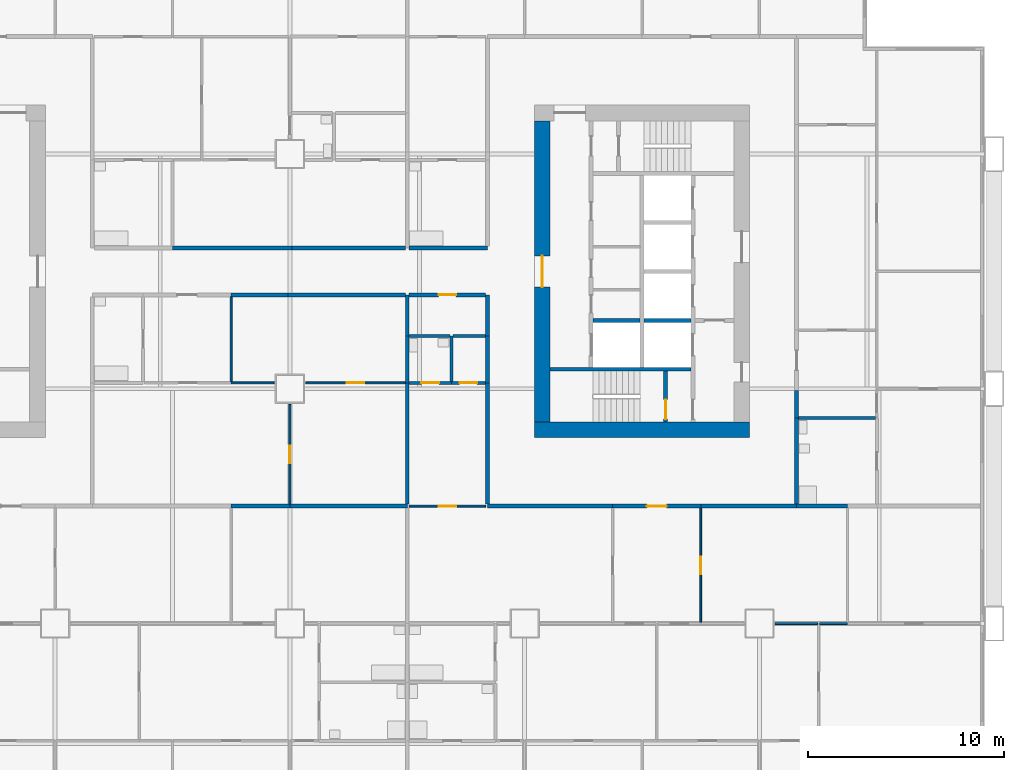
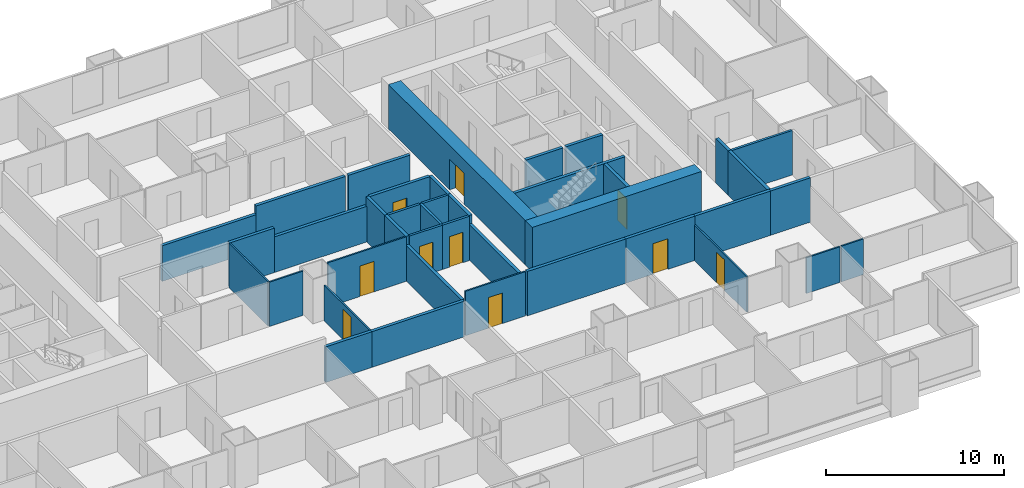
# One storey, part 6 of 13: 40 walls, 10 doors, 10 openings.
"""IFC4 building model written with IfcOpenShell, lengths in metres."""

from ifc_helpers import new_model, si_unit, direction, frame, frame_2d, origin, place, context, subcontext, project, spatial, rectangle, extrude, material, layer, layer_set, type_object, element, fill, save


model = new_model("IFC4")

# Units and contexts
model_context = context("Model", 3, precision=1e-05, world=origin(), true_north=direction((0.0, 1.0)))
body_context = subcontext(model_context, "Body", "Model", "MODEL_VIEW")
ifc_project = project(units=[si_unit("LENGTHUNIT", "METRE"), si_unit("AREAUNIT", "SQUARE_METRE"), si_unit("VOLUMEUNIT", "CUBIC_METRE"), si_unit("PLANEANGLEUNIT", "RADIAN"), si_unit("MASSUNIT", "GRAM", prefix="KILO")], contexts=[model_context])

# Site, building, storey
site_placement = place(None, origin())
site = spatial("IfcSite", under=ifc_project, at=site_placement, CompositionType="ELEMENT")
building_placement = place(site_placement, origin())
building = spatial("IfcBuilding", under=site, at=building_placement, Name="Kitamizu Gate Tower and Museum", CompositionType="ELEMENT")
storey_placement = place(building_placement, frame((0.0, 0.0, 57.60009765625)))
storey = spatial("IfcBuildingStorey", under=building, at=storey_placement, Name="L13", CompositionType="ELEMENT", Elevation=57.60009765625)

# Wall
ifc_material_1 = material(Name="Concrete Fc60", Category="concrete")
ifc_layer_1 = layer(ifc_material_1, 0.800048828125)
ifc_layer_set_1 = layer_set([ifc_layer_1], Name="Concrete Fc60")
wall_type_1 = type_object("IfcWallType", Name="Core wall 800", PredefinedType="SHEAR", material=ifc_layer_set_1)
wall_1_placement = place(storey_placement, frame((59.5, 21.89990234375, 0.0), z_axis=(0.0, 0.0, 1.0), x_axis=(-1.0, 0.0, 0.0)))
element("IfcWall", 1, at=wall_1_placement, inside=storey, type_object=wall_type_1, Name="Core wall ES", PredefinedType="SHEAR", context=body_context, shape_type="SweptSolid", body=[
    extrude(rectangle(XDim=11.0, YDim=0.800048828125, at=frame_2d((5.5, 0.0))), origin(), (0.0, 0.0, 1.0), 3.0498046875),
])

# Wall, opening, door
wall_2_placement = place(storey_placement, frame((48.89990234375, 22.300048828125, 0.0), z_axis=(0.0, 0.0, 1.0), x_axis=(0.0, 1.0, 0.0)))
wall_2 = element("IfcWall", 2, at=wall_2_placement, inside=storey, type_object=wall_type_1, Name="Core wall EARC", PredefinedType="SHEAR", context=body_context, shape_type="SweptSolid", body=[
    extrude(rectangle(XDim=15.39990234375, YDim=0.800048828125, at=frame_2d((7.699951171875, 0.0))), origin(), (0.0, 0.0, 1.0), 3.0498046875),
])
opening_1_placement = place(wall_2_placement, frame((6.89990234375, 0.0, 0.0)))
opening_1 = element("IfcOpeningElement", 3, at=opening_1_placement, cuts=wall_2, Name="Opening L13-096", PredefinedType="OPENING", context=body_context, shape_type="SweptSolid", body=[
    extrude(rectangle(XDim=1.60009765625, YDim=2.10009765625, at=frame_2d((0.800048828125, 1.050048828125))), frame((0.0, 0.41015625, 0.0), z_axis=(0.0, -1.0, 0.0), x_axis=(1.0, 0.0, 0.0)), (0.0, 0.0, 1.0), 0.820068359375),
])
ifc_material_2 = material(Name="Timber door set", Category="wood")
door_type_1 = type_object("IfcDoorType", Name="Entrance door 1600", OperationType="DOUBLE_DOOR_SINGLE_SWING", PredefinedType="DOOR", material=ifc_material_2)
door_1_placement = place(opening_1_placement, origin())
door_1 = element("IfcDoor", 4, at=door_1_placement, inside=storey, type_object=door_type_1, Name="Lobby door L13-096", OperationType="DOUBLE_DOOR_SINGLE_SWING", OverallHeight=2.10009765625, OverallWidth=1.60009765625, PredefinedType="DOOR", context=body_context, shape_type="SweptSolid", body=[
    extrude(rectangle(XDim=1.60009765625, YDim=2.10009765625, at=frame_2d((0.800048828125, 1.050048828125))), frame((0.0, 0.02490234375, 0.0), z_axis=(0.0, -1.0, 0.0), x_axis=(1.0, 0.0, 0.0)), (0.0, 0.0, 1.0), 0.050048828125),
])
fill(opening_1, door_1)

ifc_material_3 = material(Name="Gypsum board on galvanised stud")
ifc_layer_2 = layer(ifc_material_3, 0.10009765625)
ifc_layer_set_2 = layer_set([ifc_layer_2], Name="Gypsum board on galvanised stud")
wall_type_2 = type_object("IfcWallType", Name="Partition 100 NOT RATED", PredefinedType="PARTITIONING", material=ifc_layer_set_2)
wall_3_placement = place(storey_placement, frame((36.0, 18.10009765625, 0.0), z_axis=(0.0, 0.0, 1.0), x_axis=(0.0, 1.0, 0.0)))
wall_3 = element("IfcWall", 5, at=wall_3_placement, inside=storey, type_object=wall_type_2, Name="Partition L13-059", PredefinedType="PARTITIONING", context=body_context, shape_type="SweptSolid", body=[
    extrude(rectangle(XDim=5.099853515625, YDim=0.10009765625, at=frame_2d((2.5498046875, 0.0))), origin(), (0.0, 0.0, 1.0), 2.449951171875),
])
opening_2_placement = place(wall_3_placement, frame((2.10009765625, 0.0, 0.0)))
opening_2 = element("IfcOpeningElement", 6, at=opening_2_placement, cuts=wall_3, Name="Opening L13-023", PredefinedType="OPENING", context=body_context, shape_type="SweptSolid", body=[
    extrude(rectangle(XDim=0.89990234375, YDim=2.10009765625, at=frame_2d((0.449951171875, 1.050048828125))), frame((0.0, 0.06005859375, 0.0), z_axis=(0.0, -1.0, 0.0), x_axis=(1.0, 0.0, 0.0)), (0.0, 0.0, 1.0), 0.1201171875),
])
ifc_material_4 = material(Name="Timber door set", Category="wood")
door_type_2 = type_object("IfcDoorType", Name="Room door 900", OperationType="NOTDEFINED", PredefinedType="DOOR", material=ifc_material_4)
door_2_placement = place(opening_2_placement, frame((0.89990234375, 0.0, 0.0), x_axis=(-1.0, 0.0, 0.0)))
door_2 = element("IfcDoor", 7, at=door_2_placement, inside=storey, type_object=door_type_2, Name="Door L13-023", OperationType="SINGLE_SWING_LEFT", OverallHeight=2.10009765625, OverallWidth=0.89990234375, PredefinedType="DOOR", context=body_context, shape_type="SweptSolid", body=[
    extrude(rectangle(XDim=0.89990234375, YDim=2.10009765625, at=frame_2d((0.449951171875, 1.050048828125))), frame((0.0, 0.02490234375, 0.0), z_axis=(0.0, -1.0, 0.0), x_axis=(1.0, 0.0, 0.0)), (0.0, 0.0, 1.0), 0.050048828125),
])
fill(opening_2, door_2)

# Wall
wall_4_placement = place(storey_placement, frame((35.199951171875, 24.300048828125, 0.0), z_axis=(0.0, 0.0, 1.0), x_axis=(-1.0, 0.0, 0.0)))
element("IfcWall", 8, at=wall_4_placement, inside=storey, type_object=wall_type_2, Name="Partition L13-062", PredefinedType="PARTITIONING", context=body_context, shape_type="SweptSolid", body=[
    extrude(rectangle(XDim=2.199951171875, YDim=0.10009765625, at=frame_2d((1.10009765625, 0.0))), origin(), (0.0, 0.0, 1.0), 3.0498046875),
])

# Wall, opening, door
wall_5_placement = place(storey_placement, frame((41.89990234375, 24.300048828125, 0.0), z_axis=(0.0, 0.0, 1.0), x_axis=(-1.0, 0.0, 0.0)))
wall_5 = element("IfcWall", 9, at=wall_5_placement, inside=storey, type_object=wall_type_2, Name="Partition L13-065", PredefinedType="PARTITIONING", context=body_context, shape_type="SweptSolid", body=[
    extrude(rectangle(XDim=5.099853515625, YDim=0.10009765625, at=frame_2d((2.5498046875, 0.0))), origin(), (0.0, 0.0, 1.0), 3.0498046875),
])
opening_3_placement = place(wall_5_placement, frame((2.10009765625, 0.0, 0.0)))
opening_3 = element("IfcOpeningElement", 10, at=opening_3_placement, cuts=wall_5, Name="Opening L13-025", PredefinedType="OPENING", context=body_context, shape_type="SweptSolid", body=[
    extrude(rectangle(XDim=0.89990234375, YDim=2.10009765625, at=frame_2d((0.449951171875, 1.050048828125))), frame((0.0, 0.06005859375, 0.0), z_axis=(0.0, -1.0, 0.0), x_axis=(1.0, 0.0, 0.0)), (0.0, 0.0, 1.0), 0.1201171875),
])
door_3_placement = place(opening_3_placement, origin())
door_3 = element("IfcDoor", 11, at=door_3_placement, inside=storey, type_object=door_type_2, Name="Door L13-025", OperationType="SINGLE_SWING_RIGHT", OverallHeight=2.10009765625, OverallWidth=0.89990234375, PredefinedType="DOOR", context=body_context, shape_type="SweptSolid", body=[
    extrude(rectangle(XDim=0.89990234375, YDim=2.10009765625, at=frame_2d((0.449951171875, 1.050048828125))), frame((0.0, 0.02490234375, 0.0), z_axis=(0.0, -1.0, 0.0), x_axis=(1.0, 0.0, 0.0)), (0.0, 0.0, 1.0), 0.050048828125),
])
fill(opening_3, door_3)

# Walls
wall_6_placement = place(storey_placement, frame((33.0, 24.35009765625, 0.0), z_axis=(0.0, 0.0, 1.0), x_axis=(0.0, 1.0, 0.0)))
element("IfcWall", 12, at=wall_6_placement, inside=storey, type_object=wall_type_2, Name="Partition L13-070", PredefinedType="PARTITIONING", context=body_context, shape_type="SweptSolid", body=[
    extrude(rectangle(XDim=4.349853515625, YDim=0.10009765625, at=frame_2d((2.1748046875, 0.0))), origin(), (0.0, 0.0, 1.0), 3.0498046875),
])
wall_7_placement = place(storey_placement, frame((62.969970703125, 12.0, 0.0), z_axis=(0.0, 0.0, 1.0), x_axis=(-1.0, 0.0, 0.0)))
element("IfcWall", 13, at=wall_7_placement, inside=storey, type_object=wall_type_2, Name="Partition L13-097", PredefinedType="PARTITIONING", context=body_context, shape_type="SweptSolid", body=[
    extrude(rectangle(XDim=2.169921875, YDim=0.10009765625, at=frame_2d((1.0849609375, 0.0))), origin(), (0.0, 0.0, 1.0), 2.449951171875),
])
wall_8_placement = place(storey_placement, frame((64.5, 12.0, 0.0), z_axis=(0.0, 0.0, 1.0), x_axis=(-1.0, 0.0, 0.0)))
element("IfcWall", 14, at=wall_8_placement, inside=storey, type_object=wall_type_2, Name="Partition L13-098", PredefinedType="PARTITIONING", context=body_context, shape_type="SweptSolid", body=[
    extrude(rectangle(XDim=1.429931640625, YDim=0.10009765625, at=frame_2d((0.71484375, 0.0))), origin(), (0.0, 0.0, 1.0), 2.449951171875),
])

# Wall, opening, door
wall_9_placement = place(storey_placement, frame((46.0, 18.0, 0.0), z_axis=(0.0, 0.0, 1.0), x_axis=(-1.0, 0.0, 0.0)))
wall_9 = element("IfcWall", 15, at=wall_9_placement, inside=storey, type_object=wall_type_2, Name="Partition L13-101", PredefinedType="PARTITIONING", context=body_context, shape_type="SweptSolid", body=[
    extrude(rectangle(XDim=3.89990234375, YDim=0.10009765625, at=frame_2d((1.949951171875, 0.0))), origin(), (0.0, 0.0, 1.0), 3.0498046875),
])
opening_4_placement = place(wall_9_placement, frame((1.5, 0.0, 0.0)))
opening_4 = element("IfcOpeningElement", 16, at=opening_4_placement, cuts=wall_9, Name="Opening L13-039", PredefinedType="OPENING", context=body_context, shape_type="SweptSolid", body=[
    extrude(rectangle(XDim=0.89990234375, YDim=2.10009765625, at=frame_2d((0.449951171875, 1.050048828125))), frame((0.0, 0.06005859375, 0.0), z_axis=(0.0, -1.0, 0.0), x_axis=(1.0, 0.0, 0.0)), (0.0, 0.0, 1.0), 0.1201171875),
])
door_4_placement = place(opening_4_placement, frame((0.89990234375, 0.0, 0.0), x_axis=(-1.0, 0.0, 0.0)))
door_4 = element("IfcDoor", 17, at=door_4_placement, inside=storey, type_object=door_type_2, Name="Door L13-039", OperationType="SINGLE_SWING_LEFT", OverallHeight=2.10009765625, OverallWidth=0.89990234375, PredefinedType="DOOR", context=body_context, shape_type="SweptSolid", body=[
    extrude(rectangle(XDim=0.89990234375, YDim=2.10009765625, at=frame_2d((0.449951171875, 1.050048828125))), frame((0.0, 0.02490234375, 0.0), z_axis=(0.0, -1.0, 0.0), x_axis=(1.0, 0.0, 0.0)), (0.0, 0.0, 1.0), 0.050048828125),
])
fill(opening_4, door_4)

wall_10_placement = place(storey_placement, frame((57.0, 12.050048828125, 0.0), z_axis=(0.0, 0.0, 1.0), x_axis=(0.0, 1.0, 0.0)))
wall_10 = element("IfcWall", 18, at=wall_10_placement, inside=storey, type_object=wall_type_2, Name="Partition L13-103", PredefinedType="PARTITIONING", context=body_context, shape_type="SweptSolid", body=[
    extrude(rectangle(XDim=5.849853515625, YDim=0.10009765625, at=frame_2d((2.9248046875, 0.0))), origin(), (0.0, 0.0, 1.0), 2.449951171875),
])
opening_5_placement = place(wall_10_placement, frame((2.47509765625, 0.0, 0.0)))
opening_5 = element("IfcOpeningElement", 19, at=opening_5_placement, cuts=wall_10, Name="Opening L13-037", PredefinedType="OPENING", context=body_context, shape_type="SweptSolid", body=[
    extrude(rectangle(XDim=0.89990234375, YDim=2.10009765625, at=frame_2d((0.449951171875, 1.050048828125))), frame((0.0, 0.06005859375, 0.0), z_axis=(0.0, -1.0, 0.0), x_axis=(1.0, 0.0, 0.0)), (0.0, 0.0, 1.0), 0.1201171875),
])
door_5_placement = place(opening_5_placement, frame((0.89990234375, 0.0, 0.0), x_axis=(-1.0, 0.0, 0.0)))
door_5 = element("IfcDoor", 20, at=door_5_placement, inside=storey, type_object=door_type_2, Name="Door L13-037", OperationType="SINGLE_SWING_LEFT", OverallHeight=2.10009765625, OverallWidth=0.89990234375, PredefinedType="DOOR", context=body_context, shape_type="SweptSolid", body=[
    extrude(rectangle(XDim=0.89990234375, YDim=2.10009765625, at=frame_2d((0.449951171875, 1.050048828125))), frame((0.0, 0.02490234375, 0.0), z_axis=(0.0, -1.0, 0.0), x_axis=(1.0, 0.0, 0.0)), (0.0, 0.0, 1.0), 0.050048828125),
])
fill(opening_5, door_5)

ifc_material_5 = material(Name="Gypsum board on galvanised stud")
ifc_layer_3 = layer(ifc_material_5, 0.14990234375)
ifc_layer_set_3 = layer_set([ifc_layer_3], Name="Gypsum board on galvanised stud")
wall_type_3 = type_object("IfcWallType", Name="Partition 150", PredefinedType="PARTITIONING", material=ifc_layer_set_3)
wall_11_placement = place(storey_placement, frame((44.25, 24.300048828125, 0.0), z_axis=(0.0, 0.0, 1.0), x_axis=(-1.0, 0.0, 0.0)))
wall_11 = element("IfcWall", 21, at=wall_11_placement, inside=storey, type_object=wall_type_3, Name="Partition L13-110", PredefinedType="PARTITIONING", context=body_context, shape_type="SweptSolid", body=[
    extrude(rectangle(XDim=2.14990234375, YDim=0.14990234375, at=frame_2d((1.074951171875, 0.0))), origin(), (0.0, 0.0, 1.0), 3.0498046875),
])
opening_6_placement = place(wall_11_placement, frame((0.625, 0.0, 0.0)))
opening_6 = element("IfcOpeningElement", 22, at=opening_6_placement, cuts=wall_11, Name="Opening L13-040", PredefinedType="OPENING", context=body_context, shape_type="SweptSolid", body=[
    extrude(rectangle(XDim=0.89990234375, YDim=2.10009765625, at=frame_2d((0.449951171875, 1.050048828125))), frame((0.0, 0.0849609375, 0.0), z_axis=(0.0, -1.0, 0.0), x_axis=(1.0, 0.0, 0.0)), (0.0, 0.0, 1.0), 0.169921875),
])
ifc_material_6 = material(Name="Timber door set", Category="wood")
door_type_3 = type_object("IfcDoorType", Name="Bathroom door 900", OperationType="NOTDEFINED", PredefinedType="DOOR", material=ifc_material_6)
door_6_placement = place(opening_6_placement, frame((0.89990234375, 0.0, 0.0), x_axis=(-1.0, 0.0, 0.0)))
door_6 = element("IfcDoor", 23, at=door_6_placement, inside=storey, type_object=door_type_3, Name="Bathroom door L13-040", OperationType="SINGLE_SWING_RIGHT", OverallHeight=2.10009765625, OverallWidth=0.89990234375, PredefinedType="DOOR", context=body_context, shape_type="SweptSolid", body=[
    extrude(rectangle(XDim=0.89990234375, YDim=2.10009765625, at=frame_2d((0.449951171875, 1.050048828125))), frame((0.0, 0.02490234375, 0.0), z_axis=(0.0, -1.0, 0.0), x_axis=(1.0, 0.0, 0.0)), (0.0, 0.0, 1.0), 0.050048828125),
])
fill(opening_6, door_6)

wall_12_placement = place(storey_placement, frame((46.0, 24.300048828125, 0.0), z_axis=(0.0, 0.0, 1.0), x_axis=(-1.0, 0.0, 0.0)))
wall_12 = element("IfcWall", 24, at=wall_12_placement, inside=storey, type_object=wall_type_3, Name="Partition L13-111", PredefinedType="PARTITIONING", context=body_context, shape_type="SweptSolid", body=[
    extrude(rectangle(XDim=1.75, YDim=0.14990234375, at=frame_2d((0.875, 0.0))), origin(), (0.0, 0.0, 1.0), 3.0498046875),
])
opening_7_placement = place(wall_12_placement, frame((0.425048828125, 0.0, 0.0)))
opening_7 = element("IfcOpeningElement", 25, at=opening_7_placement, cuts=wall_12, Name="Opening L13-041", PredefinedType="OPENING", context=body_context, shape_type="SweptSolid", body=[
    extrude(rectangle(XDim=0.89990234375, YDim=2.10009765625, at=frame_2d((0.449951171875, 1.050048828125))), frame((0.0, 0.0849609375, 0.0), z_axis=(0.0, -1.0, 0.0), x_axis=(1.0, 0.0, 0.0)), (0.0, 0.0, 1.0), 0.169921875),
])
door_7_placement = place(opening_7_placement, frame((0.89990234375, 0.0, 0.0), x_axis=(-1.0, 0.0, 0.0)))
door_7 = element("IfcDoor", 26, at=door_7_placement, inside=storey, type_object=door_type_3, Name="Bathroom door L13-041", OperationType="SINGLE_SWING_LEFT", OverallHeight=2.10009765625, OverallWidth=0.89990234375, PredefinedType="DOOR", context=body_context, shape_type="SweptSolid", body=[
    extrude(rectangle(XDim=0.89990234375, YDim=2.10009765625, at=frame_2d((0.449951171875, 1.050048828125))), frame((0.0, 0.02490234375, 0.0), z_axis=(0.0, -1.0, 0.0), x_axis=(1.0, 0.0, 0.0)), (0.0, 0.0, 1.0), 0.050048828125),
])
fill(opening_7, door_7)

# Walls
wall_13_placement = place(storey_placement, frame((44.25, 24.375, 0.0), z_axis=(0.0, 0.0, 1.0), x_axis=(0.0, 1.0, 0.0)))
element("IfcWall", 27, at=wall_13_placement, inside=storey, type_object=wall_type_3, Name="Partition L13-113", PredefinedType="PARTITIONING", context=body_context, shape_type="SweptSolid", body=[
    extrude(rectangle(XDim=2.324951171875, YDim=0.14990234375, at=frame_2d((1.16259765625, 0.0))), origin(), (0.0, 0.0, 1.0), 3.0498046875),
])
wall_14_placement = place(storey_placement, frame((44.175048828125, 26.699951171875, 0.0), z_axis=(0.0, 0.0, 1.0), x_axis=(-1.0, 0.0, 0.0)))
element("IfcWall", 28, at=wall_14_placement, inside=storey, type_object=wall_type_3, Name="Partition L13-114", PredefinedType="PARTITIONING", context=body_context, shape_type="SweptSolid", body=[
    extrude(rectangle(XDim=2.074951171875, YDim=0.14990234375, at=frame_2d((1.03759765625, 0.0))), origin(), (0.0, 0.0, 1.0), 3.0498046875),
])
wall_15_placement = place(storey_placement, frame((46.0, 26.699951171875, 0.0), z_axis=(0.0, 0.0, 1.0), x_axis=(-1.0, 0.0, 0.0)))
element("IfcWall", 29, at=wall_15_placement, inside=storey, type_object=wall_type_3, Name="Partition L13-115", PredefinedType="PARTITIONING", context=body_context, shape_type="SweptSolid", body=[
    extrude(rectangle(XDim=1.675048828125, YDim=0.14990234375, at=frame_2d((0.83740234375, 0.0))), origin(), (0.0, 0.0, 1.0), 3.0498046875),
])
wall_16_placement = place(storey_placement, frame((65.925048828125, 22.5, 0.0), z_axis=(0.0, 0.0, 1.0), x_axis=(-1.0, 0.0, 0.0)))
element("IfcWall", 30, at=wall_16_placement, inside=storey, type_object=wall_type_3, Name="Partition L13-198", PredefinedType="PARTITIONING", context=body_context, shape_type="SweptSolid", body=[
    extrude(rectangle(XDim=3.925048828125, YDim=0.14990234375, at=frame_2d((1.96240234375, 0.0))), origin(), (0.0, 0.0, 1.0), 3.0498046875),
])
ifc_material_7 = material(Name="Gypsum board on galvanised stud")
ifc_layer_4 = layer(ifc_material_7, 0.199951171875)
ifc_layer_set_4 = layer_set([ifc_layer_4], Name="Gypsum board on galvanised stud")
wall_type_4 = type_object("IfcWallType", Name="Partition 200", PredefinedType="PARTITIONING", material=ifc_layer_set_4)
wall_17_placement = place(storey_placement, frame((36.0, 18.0, 0.0), z_axis=(0.0, 0.0, 1.0), x_axis=(-1.0, 0.0, 0.0)))
element("IfcWall", 31, at=wall_17_placement, inside=storey, type_object=wall_type_4, Name="Partition L13-056", PredefinedType="PARTITIONING", context=body_context, shape_type="SweptSolid", body=[
    extrude(rectangle(XDim=3.0, YDim=0.199951171875, at=frame_2d((1.5, 0.0))), origin(), (0.0, 0.0, 1.0), 2.449951171875),
])
wall_18_placement = place(storey_placement, frame((42.0, 18.0, 0.0), z_axis=(0.0, 0.0, 1.0), x_axis=(-1.0, 0.0, 0.0)))
element("IfcWall", 32, at=wall_18_placement, inside=storey, type_object=wall_type_4, Name="Partition L13-057", PredefinedType="PARTITIONING", context=body_context, shape_type="SweptSolid", body=[
    extrude(rectangle(XDim=6.0, YDim=0.199951171875, at=frame_2d((3.0, 0.0))), origin(), (0.0, 0.0, 1.0), 2.449951171875),
])
wall_19_placement = place(storey_placement, frame((42.0, 18.10009765625, 0.0), z_axis=(0.0, 0.0, 1.0), x_axis=(0.0, 1.0, 0.0)))
element("IfcWall", 33, at=wall_19_placement, inside=storey, type_object=wall_type_4, Name="Partition L13-066", PredefinedType="PARTITIONING", context=body_context, shape_type="SweptSolid", body=[
    extrude(rectangle(XDim=6.199951171875, YDim=0.199951171875, at=frame_2d((3.10009765625, 0.0))), origin(), (0.0, 0.0, 1.0), 2.449951171875),
])
wall_20_placement = place(storey_placement, frame((42.0, 24.300048828125, 0.0), z_axis=(0.0, 0.0, 1.0), x_axis=(0.0, 1.0, 0.0)))
element("IfcWall", 34, at=wall_20_placement, inside=storey, type_object=wall_type_4, Name="Partition L13-072", PredefinedType="PARTITIONING", context=body_context, shape_type="SweptSolid", body=[
    extrude(rectangle(XDim=2.39990234375, YDim=0.199951171875, at=frame_2d((1.199951171875, 0.0))), origin(), (0.0, 0.0, 1.0), 3.0498046875),
])
wall_21_placement = place(storey_placement, frame((42.0, 26.699951171875, 0.0), z_axis=(0.0, 0.0, 1.0), x_axis=(0.0, 1.0, 0.0)))
element("IfcWall", 35, at=wall_21_placement, inside=storey, type_object=wall_type_4, Name="Partition L13-073", PredefinedType="PARTITIONING", context=body_context, shape_type="SweptSolid", body=[
    extrude(rectangle(XDim=2.10009765625, YDim=0.199951171875, at=frame_2d((1.050048828125, 0.0))), origin(), (0.0, 0.0, 1.0), 3.0498046875),
])
wall_22_placement = place(storey_placement, frame((41.89990234375, 28.800048828125, 0.0), z_axis=(0.0, 0.0, 1.0), x_axis=(-1.0, 0.0, 0.0)))
element("IfcWall", 36, at=wall_22_placement, inside=storey, type_object=wall_type_4, Name="Partition L13-074", PredefinedType="PARTITIONING", context=body_context, shape_type="SweptSolid", body=[
    extrude(rectangle(XDim=6.0, YDim=0.199951171875, at=frame_2d((3.0, 0.0))), origin(), (0.0, 0.0, 1.0), 2.449951171875),
])
wall_23_placement = place(storey_placement, frame((35.89990234375, 28.800048828125, 0.0), z_axis=(0.0, 0.0, 1.0), x_axis=(-1.0, 0.0, 0.0)))
element("IfcWall", 37, at=wall_23_placement, inside=storey, type_object=wall_type_4, Name="Partition L13-075", PredefinedType="PARTITIONING", context=body_context, shape_type="SweptSolid", body=[
    extrude(rectangle(XDim=2.89990234375, YDim=0.199951171875, at=frame_2d((1.449951171875, 0.0))), origin(), (0.0, 0.0, 1.0), 3.0498046875),
])
wall_24_placement = place(storey_placement, frame((52.5, 18.0, 0.0), z_axis=(0.0, 0.0, 1.0), x_axis=(-1.0, 0.0, 0.0)))
element("IfcWall", 38, at=wall_24_placement, inside=storey, type_object=wall_type_4, Name="Partition L13-102", PredefinedType="PARTITIONING", context=body_context, shape_type="SweptSolid", body=[
    extrude(rectangle(XDim=6.39990234375, YDim=0.199951171875, at=frame_2d((3.199951171875, 0.0))), origin(), (0.0, 0.0, 1.0), 3.0498046875),
])

# Wall, opening, door
wall_25_placement = place(storey_placement, frame((57.0, 18.0, 0.0), z_axis=(0.0, 0.0, 1.0), x_axis=(-1.0, 0.0, 0.0)))
wall_25 = element("IfcWall", 39, at=wall_25_placement, inside=storey, type_object=wall_type_4, Name="Partition L13-104", PredefinedType="PARTITIONING", context=body_context, shape_type="SweptSolid", body=[
    extrude(rectangle(XDim=4.5, YDim=0.199951171875, at=frame_2d((2.25, 0.0))), origin(), (0.0, 0.0, 1.0), 3.0498046875),
])
opening_8_placement = place(wall_25_placement, frame((1.75, 0.0, 0.0)))
opening_8 = element("IfcOpeningElement", 40, at=opening_8_placement, cuts=wall_25, Name="Opening L13-026", PredefinedType="OPENING", context=body_context, shape_type="SweptSolid", body=[
    extrude(rectangle(XDim=1.0, YDim=2.10009765625, at=frame_2d((0.5, 1.050048828125))), frame((0.0, 0.10986328125, 0.0), z_axis=(0.0, -1.0, 0.0), x_axis=(1.0, 0.0, 0.0)), (0.0, 0.0, 1.0), 0.219970703125),
])
ifc_material_8 = material(Name="Timber door set", Category="wood")
door_type_4 = type_object("IfcDoorType", Name="Flat entrance door 1000", OperationType="NOTDEFINED", PredefinedType="DOOR", material=ifc_material_8)
door_8_placement = place(opening_8_placement, origin())
door_8 = element("IfcDoor", 41, at=door_8_placement, inside=storey, type_object=door_type_4, Name="Flat entrance door L13-026", OperationType="SINGLE_SWING_LEFT", OverallHeight=2.10009765625, OverallWidth=1.0, PredefinedType="DOOR", context=body_context, shape_type="SweptSolid", body=[
    extrude(rectangle(XDim=1.0, YDim=2.10009765625, at=frame_2d((0.5, 1.050048828125))), frame((0.0, 0.02490234375, 0.0), z_axis=(0.0, -1.0, 0.0), x_axis=(1.0, 0.0, 0.0)), (0.0, 0.0, 1.0), 0.050048828125),
])
fill(opening_8, door_8)

# Walls
wall_26_placement = place(storey_placement, frame((64.5, 18.0, 0.0), z_axis=(0.0, 0.0, 1.0), x_axis=(-1.0, 0.0, 0.0)))
element("IfcWall", 42, at=wall_26_placement, inside=storey, type_object=wall_type_4, Name="Partition L13-106", PredefinedType="PARTITIONING", context=body_context, shape_type="SweptSolid", body=[
    extrude(rectangle(XDim=2.60009765625, YDim=0.199951171875, at=frame_2d((1.300048828125, 0.0))), origin(), (0.0, 0.0, 1.0), 3.0498046875),
])
wall_27_placement = place(storey_placement, frame((61.89990234375, 18.0, 0.0), z_axis=(0.0, 0.0, 1.0), x_axis=(-1.0, 0.0, 0.0)))
element("IfcWall", 43, at=wall_27_placement, inside=storey, type_object=wall_type_4, Name="Partition L13-107", PredefinedType="PARTITIONING", context=body_context, shape_type="SweptSolid", body=[
    extrude(rectangle(XDim=4.89990234375, YDim=0.199951171875, at=frame_2d((2.449951171875, 0.0))), origin(), (0.0, 0.0, 1.0), 3.0498046875),
])
wall_28_placement = place(storey_placement, frame((46.10009765625, 18.10009765625, 0.0), z_axis=(0.0, 0.0, 1.0), x_axis=(0.0, 1.0, 0.0)))
element("IfcWall", 44, at=wall_28_placement, inside=storey, type_object=wall_type_4, Name="Partition L13-112", PredefinedType="PARTITIONING", context=body_context, shape_type="SweptSolid", body=[
    extrude(rectangle(XDim=6.199951171875, YDim=0.199951171875, at=frame_2d((3.10009765625, 0.0))), origin(), (0.0, 0.0, 1.0), 2.449951171875),
])
wall_29_placement = place(storey_placement, frame((46.10009765625, 24.300048828125, 0.0), z_axis=(0.0, 0.0, 1.0), x_axis=(0.0, 1.0, 0.0)))
element("IfcWall", 45, at=wall_29_placement, inside=storey, type_object=wall_type_4, Name="Partition L13-116", PredefinedType="PARTITIONING", context=body_context, shape_type="SweptSolid", body=[
    extrude(rectangle(XDim=2.39990234375, YDim=0.199951171875, at=frame_2d((1.199951171875, 0.0))), origin(), (0.0, 0.0, 1.0), 3.0498046875),
])
wall_30_placement = place(storey_placement, frame((46.10009765625, 26.699951171875, 0.0), z_axis=(0.0, 0.0, 1.0), x_axis=(0.0, 1.0, 0.0)))
element("IfcWall", 46, at=wall_30_placement, inside=storey, type_object=wall_type_4, Name="Partition L13-117", PredefinedType="PARTITIONING", context=body_context, shape_type="SweptSolid", body=[
    extrude(rectangle(XDim=2.10009765625, YDim=0.199951171875, at=frame_2d((1.050048828125, 0.0))), origin(), (0.0, 0.0, 1.0), 3.0498046875),
])

# Wall, opening, door
wall_31_placement = place(storey_placement, frame((46.0, 28.800048828125, 0.0), z_axis=(0.0, 0.0, 1.0), x_axis=(-1.0, 0.0, 0.0)))
wall_31 = element("IfcWall", 47, at=wall_31_placement, inside=storey, type_object=wall_type_4, Name="Partition L13-118", PredefinedType="PARTITIONING", context=body_context, shape_type="SweptSolid", body=[
    extrude(rectangle(XDim=3.89990234375, YDim=0.199951171875, at=frame_2d((1.949951171875, 0.0))), origin(), (0.0, 0.0, 1.0), 3.0498046875),
])
opening_9_placement = place(wall_31_placement, frame((1.5, 0.0, 0.0)))
opening_9 = element("IfcOpeningElement", 48, at=opening_9_placement, cuts=wall_31, Name="Opening L13-042", PredefinedType="OPENING", context=body_context, shape_type="SweptSolid", body=[
    extrude(rectangle(XDim=0.89990234375, YDim=2.10009765625, at=frame_2d((0.449951171875, 1.050048828125))), frame((0.0, 0.10986328125, 0.0), z_axis=(0.0, -1.0, 0.0), x_axis=(1.0, 0.0, 0.0)), (0.0, 0.0, 1.0), 0.219970703125),
])
ifc_material_9 = material(Name="Timber door set", Category="wood")
door_type_5 = type_object("IfcDoorType", Name="Store door 900", OperationType="NOTDEFINED", PredefinedType="DOOR", material=ifc_material_9)
door_9_placement = place(opening_9_placement, origin())
door_9 = element("IfcDoor", 49, at=door_9_placement, inside=storey, type_object=door_type_5, Name="Service entrance door L13-042", OperationType="SINGLE_SWING_LEFT", OverallHeight=2.10009765625, OverallWidth=0.89990234375, PredefinedType="DOOR", context=body_context, shape_type="SweptSolid", body=[
    extrude(rectangle(XDim=0.89990234375, YDim=2.10009765625, at=frame_2d((0.449951171875, 1.050048828125))), frame((0.0, 0.02490234375, 0.0), z_axis=(0.0, -1.0, 0.0), x_axis=(1.0, 0.0, 0.0)), (0.0, 0.0, 1.0), 0.050048828125),
])
fill(opening_9, door_9)

# Walls
wall_32_placement = place(storey_placement, frame((30.0, 31.199951171875, 0.0), z_axis=(0.0, 0.0, 1.0), x_axis=(1.0, 0.0, 0.0)))
element("IfcWall", 50, at=wall_32_placement, inside=storey, type_object=wall_type_4, Name="Partition L13-154", PredefinedType="PARTITIONING", context=body_context, shape_type="SweptSolid", body=[
    extrude(rectangle(XDim=6.10009765625, YDim=0.199951171875, at=frame_2d((3.050048828125, 0.0))), origin(), (0.0, 0.0, 1.0), 2.449951171875),
])
wall_33_placement = place(storey_placement, frame((36.10009765625, 31.199951171875, 0.0), z_axis=(0.0, 0.0, 1.0), x_axis=(1.0, 0.0, 0.0)))
element("IfcWall", 51, at=wall_33_placement, inside=storey, type_object=wall_type_4, Name="Partition L13-155", PredefinedType="PARTITIONING", context=body_context, shape_type="SweptSolid", body=[
    extrude(rectangle(XDim=5.7998046875, YDim=0.199951171875, at=frame_2d((2.89990234375, 0.0))), origin(), (0.0, 0.0, 1.0), 3.0498046875),
])
wall_34_placement = place(storey_placement, frame((42.10009765625, 31.199951171875, 0.0), z_axis=(0.0, 0.0, 1.0), x_axis=(1.0, 0.0, 0.0)))
element("IfcWall", 52, at=wall_34_placement, inside=storey, type_object=wall_type_4, Name="Partition L13-187", PredefinedType="PARTITIONING", context=body_context, shape_type="SweptSolid", body=[
    extrude(rectangle(XDim=4.0, YDim=0.199951171875, at=frame_2d((2.0, 0.0))), origin(), (0.0, 0.0, 1.0), 3.0498046875),
])
wall_35_placement = place(storey_placement, frame((61.89990234375, 22.5, 0.0), z_axis=(0.0, 0.0, 1.0), x_axis=(0.0, -1.0, 0.0)))
element("IfcWall", 53, at=wall_35_placement, inside=storey, type_object=wall_type_4, Name="Partition L13-199", PredefinedType="PARTITIONING", context=body_context, shape_type="SweptSolid", body=[
    extrude(rectangle(XDim=4.39990234375, YDim=0.199951171875, at=frame_2d((2.199951171875, 0.0))), origin(), (0.0, 0.0, 1.0), 3.0498046875),
])
wall_36_placement = place(storey_placement, frame((61.89990234375, 23.89990234375, 0.0), z_axis=(0.0, 0.0, 1.0), x_axis=(0.0, -1.0, 0.0)))
element("IfcWall", 54, at=wall_36_placement, inside=storey, type_object=wall_type_4, Name="Partition L13-202", PredefinedType="PARTITIONING", context=body_context, shape_type="SweptSolid", body=[
    extrude(rectangle(XDim=1.39990234375, YDim=0.199951171875, at=frame_2d((0.699951171875, 0.0))), origin(), (0.0, 0.0, 1.0), 3.0498046875),
])
ifc_material_10 = material(Name="Concrete Fc42", Category="concrete")
ifc_layer_5 = layer(ifc_material_10, 0.199951171875)
ifc_layer_set_5 = layer_set([ifc_layer_5], Name="Concrete Fc42")
wall_type_5 = type_object("IfcWallType", Name="Shaft wall 200", PredefinedType="SOLIDWALL", material=ifc_layer_set_5)
wall_37_placement = place(storey_placement, frame((56.5, 25.0, 0.0), z_axis=(0.0, 0.0, 1.0), x_axis=(-1.0, 0.0, 0.0)))
element("IfcWall", 55, at=wall_37_placement, inside=storey, type_object=wall_type_5, Name="Shaft wall ESB", PredefinedType="SOLIDWALL", context=body_context, shape_type="SweptSolid", body=[
    extrude(rectangle(XDim=7.199951171875, YDim=0.199951171875, at=frame_2d((3.60009765625, 0.0))), origin(), (0.0, 0.0, 1.0), 3.0498046875),
])

# Wall, opening, door
wall_38_placement = place(storey_placement, frame((55.199951171875, 22.300048828125, 0.0), z_axis=(0.0, 0.0, 1.0), x_axis=(0.0, 1.0, 0.0)))
wall_38 = element("IfcWall", 56, at=wall_38_placement, inside=storey, type_object=wall_type_5, Name="Shaft wall ESZ", PredefinedType="SOLIDWALL", context=body_context, shape_type="SweptSolid", body=[
    extrude(rectangle(XDim=2.599853515625, YDim=0.199951171875, at=frame_2d((1.2998046875, 0.0))), origin(), (0.0, 0.0, 1.0), 3.0498046875),
])
opening_10_placement = place(wall_38_placement, frame((0.14990234375, 0.0, 0.0)))
opening_10 = element("IfcOpeningElement", 57, at=opening_10_placement, cuts=wall_38, Name="Opening L13-088", PredefinedType="OPENING", context=body_context, shape_type="SweptSolid", body=[
    extrude(rectangle(XDim=1.0, YDim=2.10009765625, at=frame_2d((0.5, 1.050048828125))), frame((0.0, 0.10986328125, 0.0), z_axis=(0.0, -1.0, 0.0), x_axis=(1.0, 0.0, 0.0)), (0.0, 0.0, 1.0), 0.219970703125),
])
ifc_material_11 = material(Name="Hollow metal door set")
door_type_6 = type_object("IfcDoorType", Name="Fire door 1000", OperationType="NOTDEFINED", PredefinedType="DOOR", material=ifc_material_11)
door_10_placement = place(opening_10_placement, origin())
door_10 = element("IfcDoor", 58, at=door_10_placement, inside=storey, type_object=door_type_6, Name="Stair door L13-088", OperationType="SINGLE_SWING_RIGHT", OverallHeight=2.10009765625, OverallWidth=1.0, PredefinedType="DOOR", context=body_context, shape_type="SweptSolid", body=[
    extrude(rectangle(XDim=1.0, YDim=2.10009765625, at=frame_2d((0.5, 1.050048828125))), frame((0.0, 0.02490234375, 0.0), z_axis=(0.0, -1.0, 0.0), x_axis=(1.0, 0.0, 0.0)), (0.0, 0.0, 1.0), 0.050048828125),
])
fill(opening_10, door_10)

# Walls
for number, where, z_axis, x_axis, name in (
    (59, (56.5, 27.5, 0.0), (0.0, 0.0, 1.0), (-1.0, 0.0, 0.0), "Shaft wall EDVW0"),
    (60, (53.89990234375, 27.5, 0.0), (0.0, 0.0, 1.0), (-1.0, 0.0, 0.0), "Shaft wall EDVE0"),
):
    element("IfcWall", number, at=place(storey_placement, frame(where, z_axis=z_axis, x_axis=x_axis)), inside=storey, type_object=wall_type_5, Name=name, PredefinedType="SOLIDWALL", context=body_context, shape_type="SweptSolid", body=[
        extrude(rectangle(XDim=2.39990234375, YDim=0.199951171875, at=frame_2d((1.199951171875, 0.0))), origin(), (0.0, 0.0, 1.0), 3.0498046875),
    ])

save(model, "model.ifc")
